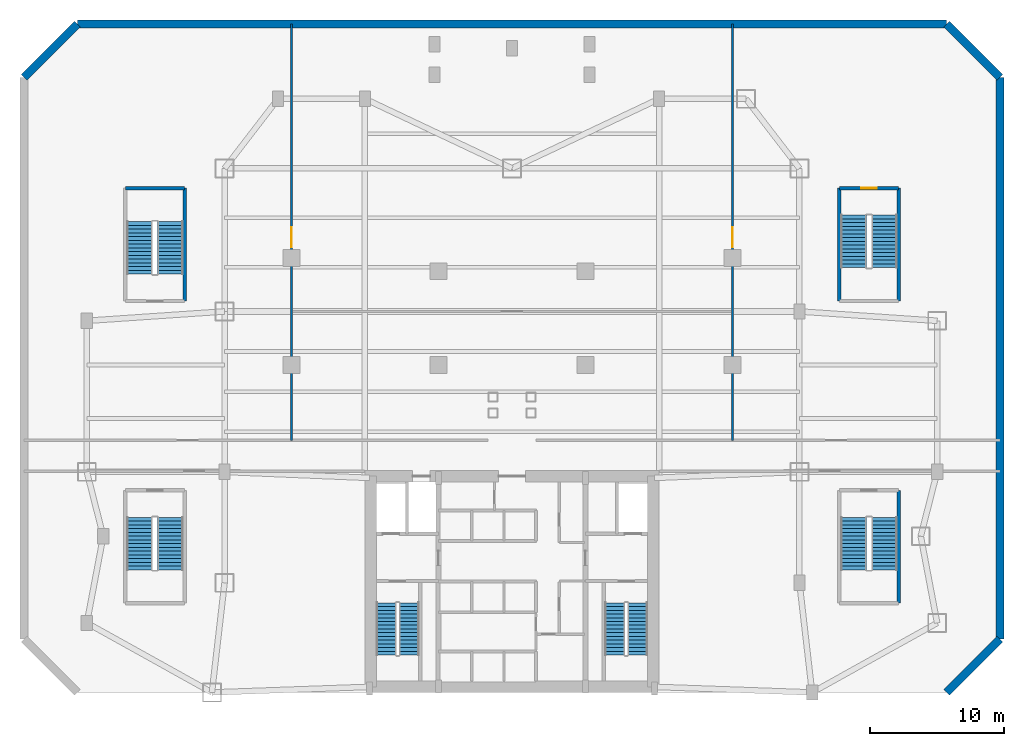
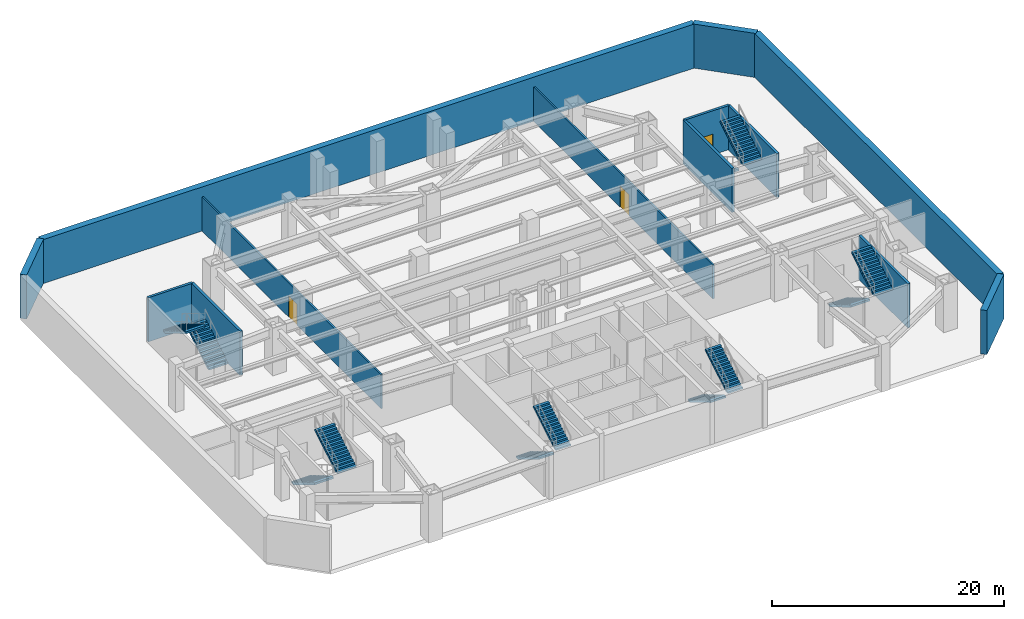
# One storey, part 4 of 6: 13 walls, 12 stair flights, 3 doors, 3 openings, 6 elements without a shape of their own.
"""IFC4 building model written with IfcOpenShell, lengths in metres."""

from ifc_helpers import new_model, si_unit, direction, frame, frame_2d, origin, place, context, subcontext, project, spatial, polyline, rectangle, outline, extrude, source, transform, mapped, material, layer, layer_set, type_object, type_shapes, element, fill, aggregate, save


model = new_model("IFC4")

# Units and contexts
model_context = context("Model", 3, precision=1e-05, world=origin(), true_north=direction((0.0, 1.0)))
body_context = subcontext(model_context, "Body", "Model", "MODEL_VIEW")
ifc_project = project(units=[si_unit("LENGTHUNIT", "METRE"), si_unit("AREAUNIT", "SQUARE_METRE"), si_unit("VOLUMEUNIT", "CUBIC_METRE"), si_unit("PLANEANGLEUNIT", "RADIAN"), si_unit("MASSUNIT", "GRAM", prefix="KILO")], contexts=[model_context])

# Site, building, storey
site_placement = place(None, origin())
site = spatial("IfcSite", under=ifc_project, at=site_placement, CompositionType="ELEMENT")
building_placement = place(site_placement, origin())
building = spatial("IfcBuilding", under=site, at=building_placement, Name="Varnakhor Terracotta Tower", CompositionType="ELEMENT")
storey_placement = place(building_placement, frame((0.0, 0.0, -5.0)))
storey = spatial("IfcBuildingStorey", under=building, at=storey_placement, Name="B01", CompositionType="ELEMENT", Elevation=-5.0)

# Walls
ifc_material_1 = material(Name="Concrete C40/50", Category="concrete")
ifc_layer_1 = layer(ifc_material_1, 0.60009765625, Name="Concrete C40/50")
ifc_layer_set_1 = layer_set([ifc_layer_1], Name="Concrete C40/50")
wall_type_1 = type_object("IfcWallType", Name="WAL-BSM-RET-600", PredefinedType="SOLIDWALL", material=ifc_layer_set_1)
wall_1_placement = place(storey_placement, frame((32.5, 0.0, 0.0), z_axis=(0.0, 0.0, 1.0), x_axis=(0.707106781187, 0.707106781187, 0.0)))
element("IfcWall", 1, at=wall_1_placement, inside=storey, type_object=wall_type_1, Name="B01 Perimeter Retaining Wall 2", PredefinedType="SOLIDWALL", context=body_context, shape_type="SweptSolid", body=[
    extrude(rectangle(XDim=5.65673828125, YDim=0.60009765625, at=frame_2d((2.828369140625, 0.0))), origin(), (0.0, 0.0, 1.0), 4.639892578125),
])
wall_2_placement = place(storey_placement, frame((36.5, 4.0, 0.0), z_axis=(0.0, 0.0, 1.0), x_axis=(0.0, 1.0, 0.0)))
element("IfcWall", 2, at=wall_2_placement, inside=storey, type_object=wall_type_1, Name="B01 Perimeter Retaining Wall 3", PredefinedType="SOLIDWALL", context=body_context, shape_type="SweptSolid", body=[
    extrude(rectangle(XDim=42.0, YDim=0.60009765625, at=frame_2d((21.0, 0.0))), origin(), (0.0, 0.0, 1.0), 4.639892578125),
])
wall_3_placement = place(storey_placement, frame((36.5, 46.0, 0.0), z_axis=(0.0, 0.0, 1.0), x_axis=(-0.707106781187, 0.707106781187, 0.0)))
element("IfcWall", 3, at=wall_3_placement, inside=storey, type_object=wall_type_1, Name="B01 Perimeter Retaining Wall 4", PredefinedType="SOLIDWALL", context=body_context, shape_type="SweptSolid", body=[
    extrude(rectangle(XDim=5.65673828125, YDim=0.60009765625, at=frame_2d((2.828369140625, 0.0))), origin(), (0.0, 0.0, 1.0), 4.639892578125),
])
wall_4_placement = place(storey_placement, frame((32.5, 50.0, 0.0), z_axis=(0.0, 0.0, 1.0), x_axis=(-1.0, 0.0, 0.0)))
element("IfcWall", 4, at=wall_4_placement, inside=storey, type_object=wall_type_1, Name="B01 Perimeter Retaining Wall 5", PredefinedType="SOLIDWALL", context=body_context, shape_type="SweptSolid", body=[
    extrude(rectangle(XDim=65.0, YDim=0.60009765625, at=frame_2d((32.5, 0.0))), origin(), (0.0, 0.0, 1.0), 4.639892578125),
])
wall_5_placement = place(storey_placement, frame((-32.5, 50.0, 0.0), z_axis=(0.0, 0.0, 1.0), x_axis=(-0.707106781187, -0.707106781187, 0.0)))
element("IfcWall", 5, at=wall_5_placement, inside=storey, type_object=wall_type_1, Name="B01 Perimeter Retaining Wall 6", PredefinedType="SOLIDWALL", context=body_context, shape_type="SweptSolid", body=[
    extrude(rectangle(XDim=5.65673828125, YDim=0.60009765625, at=frame_2d((2.828369140625, 0.0))), origin(), (0.0, 0.0, 1.0), 4.639892578125),
])
ifc_layer_2 = layer(ifc_material_1, 0.25, Name="Concrete C40/50")
ifc_layer_set_2 = layer_set([ifc_layer_2], Name="Concrete C40/50")
wall_type_2 = type_object("IfcWallType", Name="WAL-SHAFT-250", PredefinedType="SOLIDWALL", material=ifc_layer_set_2)
wall_6_placement = place(storey_placement, frame((28.919921875, 6.679931640625, 0.0), z_axis=(0.0, 0.0, 1.0), x_axis=(0.0, 1.0, 0.0)))
element("IfcWall", 6, at=wall_6_placement, inside=storey, type_object=wall_type_2, Name="B01 ST-P2 Bearing Shaft Wall E", PredefinedType="SOLIDWALL", context=body_context, shape_type="SweptSolid", body=[
    extrude(rectangle(XDim=8.440185546875, YDim=0.25, at=frame_2d((4.22021484375, 0.0))), origin(), (0.0, 0.0, 1.0), 4.639892578125),
])
wall_7_placement = place(storey_placement, frame((-24.47998046875, 29.280029296875, 0.0), z_axis=(0.0, 0.0, 1.0), x_axis=(0.0, 1.0, 0.0)))
element("IfcWall", 7, at=wall_7_placement, inside=storey, type_object=wall_type_2, Name="B01 ST-P3 Bearing Shaft Wall E", PredefinedType="SOLIDWALL", context=body_context, shape_type="SweptSolid", body=[
    extrude(rectangle(XDim=8.43994140625, YDim=0.25, at=frame_2d((4.219970703125, 0.0))), origin(), (0.0, 0.0, 1.0), 4.639892578125),
])
wall_8_placement = place(storey_placement, frame((-24.47998046875, 37.719970703125, 0.0), z_axis=(0.0, 0.0, 1.0), x_axis=(-1.0, 0.0, 0.0)))
element("IfcWall", 8, at=wall_8_placement, inside=storey, type_object=wall_type_2, Name="B01 ST-P3 Bearing Shaft Wall N", PredefinedType="SOLIDWALL", context=body_context, shape_type="SweptSolid", body=[
    extrude(rectangle(XDim=4.43994140625, YDim=0.25, at=frame_2d((2.219970703125, 0.0))), origin(), (0.0, 0.0, 1.0), 4.639892578125),
])
for number, where, z_axis, x_axis, name in (
    (9, (24.47998046875, 29.280029296875, 0.0), (0.0, 0.0, 1.0), (0.0, 1.0, 0.0), "B01 ST-P4 Bearing Shaft Wall W"),
    (10, (28.919921875, 29.280029296875, 0.0), (0.0, 0.0, 1.0), (0.0, 1.0, 0.0), "B01 ST-P4 Bearing Shaft Wall E"),
):
    element("IfcWall", number, at=place(storey_placement, frame(where, z_axis=z_axis, x_axis=x_axis)), inside=storey, type_object=wall_type_2, Name=name, PredefinedType="SOLIDWALL", context=body_context, shape_type="SweptSolid", body=[
        extrude(rectangle(XDim=8.43994140625, YDim=0.25, at=frame_2d((4.219970703125, 0.0))), origin(), (0.0, 0.0, 1.0), 4.639892578125),
    ])

# Wall, opening, door
wall_9_placement = place(storey_placement, frame((28.919921875, 37.719970703125, 0.0), z_axis=(0.0, 0.0, 1.0), x_axis=(-1.0, 0.0, 0.0)))
wall_9 = element("IfcWall", 11, at=wall_9_placement, inside=storey, type_object=wall_type_2, Name="B01 ST-P4 Bearing Shaft Wall N", PredefinedType="SOLIDWALL", context=body_context, shape_type="SweptSolid", body=[
    extrude(rectangle(XDim=4.43994140625, YDim=0.25, at=frame_2d((2.219970703125, 0.0))), origin(), (0.0, 0.0, 1.0), 4.639892578125),
])
opening_1_placement = place(wall_9_placement, frame((1.64501953125, 0.0, 0.0)))
opening_1 = element("IfcOpeningElement", 12, at=opening_1_placement, cuts=wall_9, Name="Opening DR-34", PredefinedType="OPENING", context=body_context, shape_type="SweptSolid", body=[
    extrude(rectangle(XDim=1.14990234375, YDim=2.199951171875, at=frame_2d((0.574951171875, 1.10009765625))), frame((0.0, 0.135009765625, 0.0), z_axis=(0.0, -1.0, 0.0), x_axis=(1.0, 0.0, 0.0)), (0.0, 0.0, 1.0), 0.27001953125),
])
ifc_material_2 = material(Name="Self-Closing Smoke-Sealed Steel Fire Door", Category="steel")
door_type_1 = type_object("IfcDoorType", Name="DR-STAIR-1150X2200", OperationType="NOTDEFINED", PredefinedType="DOOR", material=ifc_material_2)
shared_shape_1 = source(origin(), body_context, "Body", "SweptSolid", [
    extrude(rectangle(XDim=1.14990234375, YDim=2.199951171875, at=frame_2d((0.574951171875, 1.10009765625))), frame((0.0, 0.02490234375, 0.0), z_axis=(0.0, -1.0, 0.0), x_axis=(1.0, 0.0, 0.0)), (0.0, 0.0, 1.0), 0.050048828125),
])
type_shapes(door_type_1, [shared_shape_1])
door_1_placement = place(opening_1_placement, origin())
door_1 = element("IfcDoor", 13, at=door_1_placement, inside=storey, type_object=door_type_1, Name="B01 Exit Stair ST-P4 Fire Door", OperationType="SINGLE_SWING_RIGHT", OverallHeight=2.199951171875, OverallWidth=1.14990234375, PredefinedType="DOOR", context=body_context, shape_type="MappedRepresentation", body=[
    mapped(shared_shape_1, transform((0.0, 0.0, 0.0), scale=1.0)),
])
fill(opening_1, door_1)

ifc_material_3 = material(Name="Acoustic Fire-Rated Partition", Category="gypsum")
ifc_layer_3 = layer(ifc_material_3, 0.1650390625, Name="Acoustic Fire-Rated Partition")
ifc_layer_set_3 = layer_set([ifc_layer_3], Name="Acoustic Fire-Rated Partition")
wall_type_3 = type_object("IfcWallType", Name="WAL-TENANCY-165", PredefinedType="PARTITIONING", material=ifc_layer_set_3)
wall_10_placement = place(storey_placement, frame((-16.5, 18.85009765625, 0.0), z_axis=(0.0, 0.0, 1.0), x_axis=(0.0, 1.0, 0.0)))
wall_10 = element("IfcWall", 14, at=wall_10_placement, inside=storey, type_object=wall_type_3, Name="B01 West Bay Partition", PredefinedType="PARTITIONING", context=body_context, shape_type="SweptSolid", body=[
    extrude(rectangle(XDim=31.139892578125, YDim=0.1650390625, at=frame_2d((15.56982421875, 0.0))), origin(), (0.0, 0.0, 1.0), 3.592041015625),
])
opening_2_placement = place(wall_10_placement, frame((14.449951171875, 0.0, 0.0)))
opening_2 = element("IfcOpeningElement", 15, at=opening_2_placement, cuts=wall_10, Name="Opening DR-30", PredefinedType="OPENING", context=body_context, shape_type="SweptSolid", body=[
    extrude(rectangle(XDim=1.5, YDim=2.25, at=frame_2d((0.75, 1.125))), frame((0.0, 0.092529296875, 0.0), z_axis=(0.0, -1.0, 0.0), x_axis=(1.0, 0.0, 0.0)), (0.0, 0.0, 1.0), 0.18505859375),
])
ifc_material_4 = material(Name="Double Acoustic Conference Room Door", Category="wood")
door_type_2 = type_object("IfcDoorType", Name="DR-MEET-1500X2250", OperationType="NOTDEFINED", PredefinedType="DOOR", material=ifc_material_4)
shared_shape_2 = source(origin(), body_context, "Body", "SweptSolid", [
    extrude(rectangle(XDim=1.5, YDim=2.25, at=frame_2d((0.75, 1.125))), frame((0.0, 0.02490234375, 0.0), z_axis=(0.0, -1.0, 0.0), x_axis=(1.0, 0.0, 0.0)), (0.0, 0.0, 1.0), 0.050048828125),
])
type_shapes(door_type_2, [shared_shape_2])
door_2_placement = place(opening_2_placement, origin())
door_2 = element("IfcDoor", 16, at=door_2_placement, inside=storey, type_object=door_type_2, Name="B01 West Sub-Plant Door", OperationType="DOUBLE_DOOR_SINGLE_SWING", OverallHeight=2.25, OverallWidth=1.5, PredefinedType="DOOR", context=body_context, shape_type="MappedRepresentation", body=[
    mapped(shared_shape_2, transform((0.0, 0.0, 0.0), scale=1.0)),
])
fill(opening_2, door_2)

wall_11_placement = place(storey_placement, frame((16.5, 18.85009765625, 0.0), z_axis=(0.0, 0.0, 1.0), x_axis=(0.0, 1.0, 0.0)))
wall_11 = element("IfcWall", 17, at=wall_11_placement, inside=storey, type_object=wall_type_3, Name="B01 East Bay Partition", PredefinedType="PARTITIONING", context=body_context, shape_type="SweptSolid", body=[
    extrude(rectangle(XDim=31.139892578125, YDim=0.1650390625, at=frame_2d((15.56982421875, 0.0))), origin(), (0.0, 0.0, 1.0), 3.592041015625),
])
opening_3_placement = place(wall_11_placement, frame((14.449951171875, 0.0, 0.0)))
opening_3 = element("IfcOpeningElement", 18, at=opening_3_placement, cuts=wall_11, Name="Opening DR-30", PredefinedType="OPENING", context=body_context, shape_type="SweptSolid", body=[
    extrude(rectangle(XDim=1.5, YDim=2.25, at=frame_2d((0.75, 1.125))), frame((0.0, 0.092529296875, 0.0), z_axis=(0.0, -1.0, 0.0), x_axis=(1.0, 0.0, 0.0)), (0.0, 0.0, 1.0), 0.18505859375),
])
door_3_placement = place(opening_3_placement, origin())
door_3 = element("IfcDoor", 19, at=door_3_placement, inside=storey, type_object=door_type_2, Name="B01 East Sub-Plant Door", OperationType="DOUBLE_DOOR_SINGLE_SWING", OverallHeight=2.25, OverallWidth=1.5, PredefinedType="DOOR", context=body_context, shape_type="MappedRepresentation", body=[
    mapped(shared_shape_2, transform((0.0, 0.0, 0.0), scale=1.0)),
])
fill(opening_3, door_3)

# Stair, stair flights
stair_type_1 = type_object("IfcStairType", Name="STR-CORE-OFFICE-1500", PredefinedType="HALF_TURN_STAIR", material=ifc_material_1)
stair_1_placement = place(storey_placement, origin())
stair_1 = element("IfcStair", 20, at=stair_1_placement, inside=storey, type_object=stair_type_1, Name="B01 Core Exit Stair ST-1", PredefinedType="HALF_TURN_STAIR")
stair_flight_type_1 = type_object("IfcStairFlightType", Name="FLT-CORE-1500", PredefinedType="STRAIGHT", material=ifc_material_1)
stair_flight_1_placement = place(storey_placement, frame((-9.39990234375, 6.7099609375, 0.0), z_axis=(0.0, 0.0, 1.0), x_axis=(0.0, -1.0, 0.0)))
stair_flight_1 = element("IfcStairFlight", 21, at=stair_flight_1_placement, type_object=stair_flight_type_1, Name="ST-1 flight 1", NumberOfRisers=15, NumberOfTreads=14, PredefinedType="STRAIGHT", RiserHeight=0.166666667, TreadLength=0.28, context=body_context, shape_type="SweptSolid", body=[
    extrude(outline(polyline([(0.0, 0.0), (0.0, 0.166748046875), (0.280029296875, 0.166748046875), (0.280029296875, 0.333251953125), (0.56005859375, 0.333251953125), (0.56005859375, 0.5), (0.840087890625, 0.5), (0.840087890625, 0.666748046875), (1.1201171875, 0.666748046875), (1.1201171875, 0.833251953125), (1.39990234375, 0.833251953125), (1.39990234375, 1.0), (1.679931640625, 1.0), (1.679931640625, 1.166748046875), (1.9599609375, 1.166748046875), (1.9599609375, 1.333251953125), (2.239990234375, 1.333251953125), (2.239990234375, 1.5), (2.52001953125, 1.5), (2.52001953125, 1.666748046875), (2.800048828125, 1.666748046875), (2.800048828125, 1.833251953125), (3.080078125, 1.833251953125), (3.080078125, 2.0), (3.360107421875, 2.0), (3.360107421875, 2.166748046875), (3.639892578125, 2.166748046875), (3.639892578125, 2.333251953125), (3.919921875, 2.333251953125), (3.919921875, 2.5), (3.919921875, 2.147216796875), (0.312744140625, 0.0), (0.0, 0.0)])), frame((0.0, 0.75, 0.0), z_axis=(0.0, -1.0, 0.0), x_axis=(1.0, 0.0, 0.0)), (0.0, 0.0, 1.0), 1.5),
])
stair_flight_2_placement = place(storey_placement, frame((-7.699951171875, 2.7900390625, 2.5), z_axis=(0.0, 0.0, 1.0), x_axis=(0.0, 1.0, 0.0)))
stair_flight_2 = element("IfcStairFlight", 22, at=stair_flight_2_placement, type_object=stair_flight_type_1, Name="ST-1 flight 2", NumberOfRisers=15, NumberOfTreads=14, PredefinedType="STRAIGHT", RiserHeight=0.166666667, TreadLength=0.28, context=body_context, shape_type="SweptSolid", body=[
    extrude(outline(polyline([(0.0, 0.0), (0.0, 0.166748046875), (0.280029296875, 0.166748046875), (0.280029296875, 0.333251953125), (0.56005859375, 0.333251953125), (0.56005859375, 0.5), (0.840087890625, 0.5), (0.840087890625, 0.666748046875), (1.1201171875, 0.666748046875), (1.1201171875, 0.833251953125), (1.39990234375, 0.833251953125), (1.39990234375, 1.0), (1.679931640625, 1.0), (1.679931640625, 1.166748046875), (1.9599609375, 1.166748046875), (1.9599609375, 1.333251953125), (2.239990234375, 1.333251953125), (2.239990234375, 1.5), (2.52001953125, 1.5), (2.52001953125, 1.666748046875), (2.800048828125, 1.666748046875), (2.800048828125, 1.833251953125), (3.080078125, 1.833251953125), (3.080078125, 2.0), (3.360107421875, 2.0), (3.360107421875, 2.166748046875), (3.639892578125, 2.166748046875), (3.639892578125, 2.333251953125), (3.919921875, 2.333251953125), (3.919921875, 2.5), (3.919921875, 2.147216796875), (0.312744140625, 0.0), (0.0, 0.0)])), frame((0.0, 0.75, 0.0), z_axis=(0.0, -1.0, 0.0), x_axis=(1.0, 0.0, 0.0)), (0.0, 0.0, 1.0), 1.5),
])
aggregate(stair_1, [stair_flight_1, stair_flight_2])

stair_2_placement = place(storey_placement, origin())
stair_2 = element("IfcStair", 23, at=stair_2_placement, inside=storey, type_object=stair_type_1, Name="B01 Core Exit Stair ST-2", PredefinedType="HALF_TURN_STAIR")
stair_flight_3_placement = place(storey_placement, frame((7.699951171875, 6.7099609375, 0.0), z_axis=(0.0, 0.0, 1.0), x_axis=(0.0, -1.0, 0.0)))
stair_flight_3 = element("IfcStairFlight", 24, at=stair_flight_3_placement, type_object=stair_flight_type_1, Name="ST-2 flight 1", NumberOfRisers=15, NumberOfTreads=14, PredefinedType="STRAIGHT", RiserHeight=0.166666667, TreadLength=0.28, context=body_context, shape_type="SweptSolid", body=[
    extrude(outline(polyline([(0.0, 0.0), (0.0, 0.166748046875), (0.280029296875, 0.166748046875), (0.280029296875, 0.333251953125), (0.56005859375, 0.333251953125), (0.56005859375, 0.5), (0.840087890625, 0.5), (0.840087890625, 0.666748046875), (1.1201171875, 0.666748046875), (1.1201171875, 0.833251953125), (1.39990234375, 0.833251953125), (1.39990234375, 1.0), (1.679931640625, 1.0), (1.679931640625, 1.166748046875), (1.9599609375, 1.166748046875), (1.9599609375, 1.333251953125), (2.239990234375, 1.333251953125), (2.239990234375, 1.5), (2.52001953125, 1.5), (2.52001953125, 1.666748046875), (2.800048828125, 1.666748046875), (2.800048828125, 1.833251953125), (3.080078125, 1.833251953125), (3.080078125, 2.0), (3.360107421875, 2.0), (3.360107421875, 2.166748046875), (3.639892578125, 2.166748046875), (3.639892578125, 2.333251953125), (3.919921875, 2.333251953125), (3.919921875, 2.5), (3.919921875, 2.147216796875), (0.312744140625, 0.0), (0.0, 0.0)])), frame((0.0, 0.75, 0.0), z_axis=(0.0, -1.0, 0.0), x_axis=(1.0, 0.0, 0.0)), (0.0, 0.0, 1.0), 1.5),
])
stair_flight_4_placement = place(storey_placement, frame((9.39990234375, 2.7900390625, 2.5), z_axis=(0.0, 0.0, 1.0), x_axis=(0.0, 1.0, 0.0)))
stair_flight_4 = element("IfcStairFlight", 25, at=stair_flight_4_placement, type_object=stair_flight_type_1, Name="ST-2 flight 2", NumberOfRisers=15, NumberOfTreads=14, PredefinedType="STRAIGHT", RiserHeight=0.166666667, TreadLength=0.28, context=body_context, shape_type="SweptSolid", body=[
    extrude(outline(polyline([(0.0, 0.0), (0.0, 0.166748046875), (0.280029296875, 0.166748046875), (0.280029296875, 0.333251953125), (0.56005859375, 0.333251953125), (0.56005859375, 0.5), (0.840087890625, 0.5), (0.840087890625, 0.666748046875), (1.1201171875, 0.666748046875), (1.1201171875, 0.833251953125), (1.39990234375, 0.833251953125), (1.39990234375, 1.0), (1.679931640625, 1.0), (1.679931640625, 1.166748046875), (1.9599609375, 1.166748046875), (1.9599609375, 1.333251953125), (2.239990234375, 1.333251953125), (2.239990234375, 1.5), (2.52001953125, 1.5), (2.52001953125, 1.666748046875), (2.800048828125, 1.666748046875), (2.800048828125, 1.833251953125), (3.080078125, 1.833251953125), (3.080078125, 2.0), (3.360107421875, 2.0), (3.360107421875, 2.166748046875), (3.639892578125, 2.166748046875), (3.639892578125, 2.333251953125), (3.919921875, 2.333251953125), (3.919921875, 2.5), (3.919921875, 2.147216796875), (0.312744140625, 0.0), (0.0, 0.0)])), frame((0.0, 0.75, 0.0), z_axis=(0.0, -1.0, 0.0), x_axis=(1.0, 0.0, 0.0)), (0.0, 0.0, 1.0), 1.5),
])
aggregate(stair_2, [stair_flight_3, stair_flight_4])

stair_type_2 = type_object("IfcStairType", Name="STR-PODIUM-EXIT-2000", PredefinedType="HALF_TURN_STAIR", material=ifc_material_1)
stair_3_placement = place(storey_placement, origin())
stair_3 = element("IfcStair", 26, at=stair_3_placement, inside=storey, type_object=stair_type_2, Name="B01 Podium Assembly Exit Stair ST-P1", PredefinedType="HALF_TURN_STAIR")
stair_flight_type_2 = type_object("IfcStairFlightType", Name="FLT-PODIUM-2000", PredefinedType="STRAIGHT", material=ifc_material_1)
stair_flight_5_placement = place(storey_placement, frame((-27.85009765625, 13.10009765625, 0.0), z_axis=(0.0, 0.0, 1.0), x_axis=(0.0, -1.0, 0.0)))
stair_flight_5 = element("IfcStairFlight", 27, at=stair_flight_5_placement, type_object=stair_flight_type_2, Name="ST-P1 flight 1", NumberOfRisers=15, NumberOfTreads=14, PredefinedType="STRAIGHT", RiserHeight=0.166666667, TreadLength=0.28, context=body_context, shape_type="SweptSolid", body=[
    extrude(outline(polyline([(0.0, 0.0), (0.0, 0.166748046875), (0.280029296875, 0.166748046875), (0.280029296875, 0.333251953125), (0.56005859375, 0.333251953125), (0.56005859375, 0.5), (0.840087890625, 0.5), (0.840087890625, 0.666748046875), (1.1201171875, 0.666748046875), (1.1201171875, 0.833251953125), (1.39990234375, 0.833251953125), (1.39990234375, 1.0), (1.679931640625, 1.0), (1.679931640625, 1.166748046875), (1.9599609375, 1.166748046875), (1.9599609375, 1.333251953125), (2.239990234375, 1.333251953125), (2.239990234375, 1.5), (2.52001953125, 1.5), (2.52001953125, 1.666748046875), (2.800048828125, 1.666748046875), (2.800048828125, 1.833251953125), (3.080078125, 1.833251953125), (3.080078125, 2.0), (3.360107421875, 2.0), (3.360107421875, 2.166748046875), (3.639892578125, 2.166748046875), (3.639892578125, 2.333251953125), (3.919921875, 2.333251953125), (3.919921875, 2.5), (3.919921875, 2.1240234375), (0.351806640625, 0.0), (0.0, 0.0)])), frame((0.0, 0.949951171875, 0.0), z_axis=(0.0, -1.0, 0.0), x_axis=(1.0, 0.0, 0.0)), (0.0, 0.0, 1.0), 1.89990234375),
])
stair_flight_6_placement = place(storey_placement, frame((-25.550048828125, 9.179931640625, 2.5), z_axis=(0.0, 0.0, 1.0), x_axis=(0.0, 1.0, 0.0)))
stair_flight_6 = element("IfcStairFlight", 28, at=stair_flight_6_placement, type_object=stair_flight_type_2, Name="ST-P1 flight 2", NumberOfRisers=15, NumberOfTreads=14, PredefinedType="STRAIGHT", RiserHeight=0.166666667, TreadLength=0.28, context=body_context, shape_type="SweptSolid", body=[
    extrude(outline(polyline([(0.0, 0.0), (0.0, 0.166748046875), (0.280029296875, 0.166748046875), (0.280029296875, 0.333251953125), (0.56005859375, 0.333251953125), (0.56005859375, 0.5), (0.840087890625, 0.5), (0.840087890625, 0.666748046875), (1.1201171875, 0.666748046875), (1.1201171875, 0.833251953125), (1.39990234375, 0.833251953125), (1.39990234375, 1.0), (1.679931640625, 1.0), (1.679931640625, 1.166748046875), (1.9599609375, 1.166748046875), (1.9599609375, 1.333251953125), (2.239990234375, 1.333251953125), (2.239990234375, 1.5), (2.52001953125, 1.5), (2.52001953125, 1.666748046875), (2.800048828125, 1.666748046875), (2.800048828125, 1.833251953125), (3.080078125, 1.833251953125), (3.080078125, 2.0), (3.360107421875, 2.0), (3.360107421875, 2.166748046875), (3.639892578125, 2.166748046875), (3.639892578125, 2.333251953125), (3.919921875, 2.333251953125), (3.919921875, 2.5), (3.919921875, 2.1240234375), (0.351806640625, 0.0), (0.0, 0.0)])), frame((0.0, 0.949951171875, 0.0), z_axis=(0.0, -1.0, 0.0), x_axis=(1.0, 0.0, 0.0)), (0.0, 0.0, 1.0), 1.89990234375),
])
aggregate(stair_3, [stair_flight_5, stair_flight_6])

stair_4_placement = place(storey_placement, origin())
stair_4 = element("IfcStair", 29, at=stair_4_placement, inside=storey, type_object=stair_type_2, Name="B01 Podium Assembly Exit Stair ST-P2", PredefinedType="HALF_TURN_STAIR")
stair_flight_7_placement = place(storey_placement, frame((25.550048828125, 13.10009765625, 0.0), z_axis=(0.0, 0.0, 1.0), x_axis=(0.0, -1.0, 0.0)))
stair_flight_7 = element("IfcStairFlight", 30, at=stair_flight_7_placement, type_object=stair_flight_type_2, Name="ST-P2 flight 1", NumberOfRisers=15, NumberOfTreads=14, PredefinedType="STRAIGHT", RiserHeight=0.166666667, TreadLength=0.28, context=body_context, shape_type="SweptSolid", body=[
    extrude(outline(polyline([(0.0, 0.0), (0.0, 0.166748046875), (0.280029296875, 0.166748046875), (0.280029296875, 0.333251953125), (0.56005859375, 0.333251953125), (0.56005859375, 0.5), (0.840087890625, 0.5), (0.840087890625, 0.666748046875), (1.1201171875, 0.666748046875), (1.1201171875, 0.833251953125), (1.39990234375, 0.833251953125), (1.39990234375, 1.0), (1.679931640625, 1.0), (1.679931640625, 1.166748046875), (1.9599609375, 1.166748046875), (1.9599609375, 1.333251953125), (2.239990234375, 1.333251953125), (2.239990234375, 1.5), (2.52001953125, 1.5), (2.52001953125, 1.666748046875), (2.800048828125, 1.666748046875), (2.800048828125, 1.833251953125), (3.080078125, 1.833251953125), (3.080078125, 2.0), (3.360107421875, 2.0), (3.360107421875, 2.166748046875), (3.639892578125, 2.166748046875), (3.639892578125, 2.333251953125), (3.919921875, 2.333251953125), (3.919921875, 2.5), (3.919921875, 2.1240234375), (0.351806640625, 0.0), (0.0, 0.0)])), frame((0.0, 0.949951171875, 0.0), z_axis=(0.0, -1.0, 0.0), x_axis=(1.0, 0.0, 0.0)), (0.0, 0.0, 1.0), 1.89990234375),
])
stair_flight_8_placement = place(storey_placement, frame((27.85009765625, 9.179931640625, 2.5), z_axis=(0.0, 0.0, 1.0), x_axis=(0.0, 1.0, 0.0)))
stair_flight_8 = element("IfcStairFlight", 31, at=stair_flight_8_placement, type_object=stair_flight_type_2, Name="ST-P2 flight 2", NumberOfRisers=15, NumberOfTreads=14, PredefinedType="STRAIGHT", RiserHeight=0.166666667, TreadLength=0.28, context=body_context, shape_type="SweptSolid", body=[
    extrude(outline(polyline([(0.0, 0.0), (0.0, 0.166748046875), (0.280029296875, 0.166748046875), (0.280029296875, 0.333251953125), (0.56005859375, 0.333251953125), (0.56005859375, 0.5), (0.840087890625, 0.5), (0.840087890625, 0.666748046875), (1.1201171875, 0.666748046875), (1.1201171875, 0.833251953125), (1.39990234375, 0.833251953125), (1.39990234375, 1.0), (1.679931640625, 1.0), (1.679931640625, 1.166748046875), (1.9599609375, 1.166748046875), (1.9599609375, 1.333251953125), (2.239990234375, 1.333251953125), (2.239990234375, 1.5), (2.52001953125, 1.5), (2.52001953125, 1.666748046875), (2.800048828125, 1.666748046875), (2.800048828125, 1.833251953125), (3.080078125, 1.833251953125), (3.080078125, 2.0), (3.360107421875, 2.0), (3.360107421875, 2.166748046875), (3.639892578125, 2.166748046875), (3.639892578125, 2.333251953125), (3.919921875, 2.333251953125), (3.919921875, 2.5), (3.919921875, 2.1240234375), (0.351806640625, 0.0), (0.0, 0.0)])), frame((0.0, 0.949951171875, 0.0), z_axis=(0.0, -1.0, 0.0), x_axis=(1.0, 0.0, 0.0)), (0.0, 0.0, 1.0), 1.89990234375),
])
aggregate(stair_4, [stair_flight_7, stair_flight_8])

stair_5_placement = place(storey_placement, origin())
stair_5 = element("IfcStair", 32, at=stair_5_placement, inside=storey, type_object=stair_type_2, Name="B01 Podium Assembly Exit Stair ST-P3", PredefinedType="HALF_TURN_STAIR")
stair_flight_9_placement = place(storey_placement, frame((-25.550048828125, 31.300048828125, 0.0), z_axis=(0.0, 0.0, 1.0), x_axis=(0.0, 1.0, 0.0)))
stair_flight_9 = element("IfcStairFlight", 33, at=stair_flight_9_placement, type_object=stair_flight_type_2, Name="ST-P3 flight 1", NumberOfRisers=15, NumberOfTreads=14, PredefinedType="STRAIGHT", RiserHeight=0.166666667, TreadLength=0.28, context=body_context, shape_type="SweptSolid", body=[
    extrude(outline(polyline([(0.0, 0.0), (0.0, 0.166748046875), (0.280029296875, 0.166748046875), (0.280029296875, 0.333251953125), (0.56005859375, 0.333251953125), (0.56005859375, 0.5), (0.840087890625, 0.5), (0.840087890625, 0.666748046875), (1.1201171875, 0.666748046875), (1.1201171875, 0.833251953125), (1.39990234375, 0.833251953125), (1.39990234375, 1.0), (1.679931640625, 1.0), (1.679931640625, 1.166748046875), (1.9599609375, 1.166748046875), (1.9599609375, 1.333251953125), (2.239990234375, 1.333251953125), (2.239990234375, 1.5), (2.52001953125, 1.5), (2.52001953125, 1.666748046875), (2.800048828125, 1.666748046875), (2.800048828125, 1.833251953125), (3.080078125, 1.833251953125), (3.080078125, 2.0), (3.360107421875, 2.0), (3.360107421875, 2.166748046875), (3.639892578125, 2.166748046875), (3.639892578125, 2.333251953125), (3.919921875, 2.333251953125), (3.919921875, 2.5), (3.919921875, 2.1240234375), (0.351806640625, 0.0), (0.0, 0.0)])), frame((0.0, 0.949951171875, 0.0), z_axis=(0.0, -1.0, 0.0), x_axis=(1.0, 0.0, 0.0)), (0.0, 0.0, 1.0), 1.89990234375),
])
stair_flight_10_placement = place(storey_placement, frame((-27.85009765625, 35.219970703125, 2.5), z_axis=(0.0, 0.0, 1.0), x_axis=(0.0, -1.0, 0.0)))
stair_flight_10 = element("IfcStairFlight", 34, at=stair_flight_10_placement, type_object=stair_flight_type_2, Name="ST-P3 flight 2", NumberOfRisers=15, NumberOfTreads=14, PredefinedType="STRAIGHT", RiserHeight=0.166666667, TreadLength=0.28, context=body_context, shape_type="SweptSolid", body=[
    extrude(outline(polyline([(0.0, 0.0), (0.0, 0.166748046875), (0.280029296875, 0.166748046875), (0.280029296875, 0.333251953125), (0.56005859375, 0.333251953125), (0.56005859375, 0.5), (0.840087890625, 0.5), (0.840087890625, 0.666748046875), (1.1201171875, 0.666748046875), (1.1201171875, 0.833251953125), (1.39990234375, 0.833251953125), (1.39990234375, 1.0), (1.679931640625, 1.0), (1.679931640625, 1.166748046875), (1.9599609375, 1.166748046875), (1.9599609375, 1.333251953125), (2.239990234375, 1.333251953125), (2.239990234375, 1.5), (2.52001953125, 1.5), (2.52001953125, 1.666748046875), (2.800048828125, 1.666748046875), (2.800048828125, 1.833251953125), (3.080078125, 1.833251953125), (3.080078125, 2.0), (3.360107421875, 2.0), (3.360107421875, 2.166748046875), (3.639892578125, 2.166748046875), (3.639892578125, 2.333251953125), (3.919921875, 2.333251953125), (3.919921875, 2.5), (3.919921875, 2.1240234375), (0.351806640625, 0.0), (0.0, 0.0)])), frame((0.0, 0.949951171875, 0.0), z_axis=(0.0, -1.0, 0.0), x_axis=(1.0, 0.0, 0.0)), (0.0, 0.0, 1.0), 1.89990234375),
])
aggregate(stair_5, [stair_flight_9, stair_flight_10])

stair_6_placement = place(storey_placement, origin())
stair_6 = element("IfcStair", 35, at=stair_6_placement, inside=storey, type_object=stair_type_2, Name="B01 Podium Assembly Exit Stair ST-P4", PredefinedType="HALF_TURN_STAIR")
stair_flight_11_placement = place(storey_placement, frame((25.550048828125, 35.699951171875, 0.0), z_axis=(0.0, 0.0, 1.0), x_axis=(0.0, -1.0, 0.0)))
stair_flight_11 = element("IfcStairFlight", 36, at=stair_flight_11_placement, type_object=stair_flight_type_2, Name="ST-P4 flight 1", NumberOfRisers=15, NumberOfTreads=14, PredefinedType="STRAIGHT", RiserHeight=0.166666667, TreadLength=0.28, context=body_context, shape_type="SweptSolid", body=[
    extrude(outline(polyline([(0.0, 0.0), (0.0, 0.166748046875), (0.280029296875, 0.166748046875), (0.280029296875, 0.333251953125), (0.56005859375, 0.333251953125), (0.56005859375, 0.5), (0.840087890625, 0.5), (0.840087890625, 0.666748046875), (1.1201171875, 0.666748046875), (1.1201171875, 0.833251953125), (1.39990234375, 0.833251953125), (1.39990234375, 1.0), (1.679931640625, 1.0), (1.679931640625, 1.166748046875), (1.9599609375, 1.166748046875), (1.9599609375, 1.333251953125), (2.239990234375, 1.333251953125), (2.239990234375, 1.5), (2.52001953125, 1.5), (2.52001953125, 1.666748046875), (2.800048828125, 1.666748046875), (2.800048828125, 1.833251953125), (3.080078125, 1.833251953125), (3.080078125, 2.0), (3.360107421875, 2.0), (3.360107421875, 2.166748046875), (3.639892578125, 2.166748046875), (3.639892578125, 2.333251953125), (3.919921875, 2.333251953125), (3.919921875, 2.5), (3.919921875, 2.1240234375), (0.351806640625, 0.0), (0.0, 0.0)])), frame((0.0, 0.949951171875, 0.0), z_axis=(0.0, -1.0, 0.0), x_axis=(1.0, 0.0, 0.0)), (0.0, 0.0, 1.0), 1.89990234375),
])
stair_flight_12_placement = place(storey_placement, frame((27.85009765625, 31.780029296875, 2.5), z_axis=(0.0, 0.0, 1.0), x_axis=(0.0, 1.0, 0.0)))
stair_flight_12 = element("IfcStairFlight", 37, at=stair_flight_12_placement, type_object=stair_flight_type_2, Name="ST-P4 flight 2", NumberOfRisers=15, NumberOfTreads=14, PredefinedType="STRAIGHT", RiserHeight=0.166666667, TreadLength=0.28, context=body_context, shape_type="SweptSolid", body=[
    extrude(outline(polyline([(0.0, 0.0), (0.0, 0.166748046875), (0.280029296875, 0.166748046875), (0.280029296875, 0.333251953125), (0.56005859375, 0.333251953125), (0.56005859375, 0.5), (0.840087890625, 0.5), (0.840087890625, 0.666748046875), (1.1201171875, 0.666748046875), (1.1201171875, 0.833251953125), (1.39990234375, 0.833251953125), (1.39990234375, 1.0), (1.679931640625, 1.0), (1.679931640625, 1.166748046875), (1.9599609375, 1.166748046875), (1.9599609375, 1.333251953125), (2.239990234375, 1.333251953125), (2.239990234375, 1.5), (2.52001953125, 1.5), (2.52001953125, 1.666748046875), (2.800048828125, 1.666748046875), (2.800048828125, 1.833251953125), (3.080078125, 1.833251953125), (3.080078125, 2.0), (3.360107421875, 2.0), (3.360107421875, 2.166748046875), (3.639892578125, 2.166748046875), (3.639892578125, 2.333251953125), (3.919921875, 2.333251953125), (3.919921875, 2.5), (3.919921875, 2.1240234375), (0.351806640625, 0.0), (0.0, 0.0)])), frame((0.0, 0.949951171875, 0.0), z_axis=(0.0, -1.0, 0.0), x_axis=(1.0, 0.0, 0.0)), (0.0, 0.0, 1.0), 1.89990234375),
])
aggregate(stair_6, [stair_flight_11, stair_flight_12])

save(model, "model.ifc")
